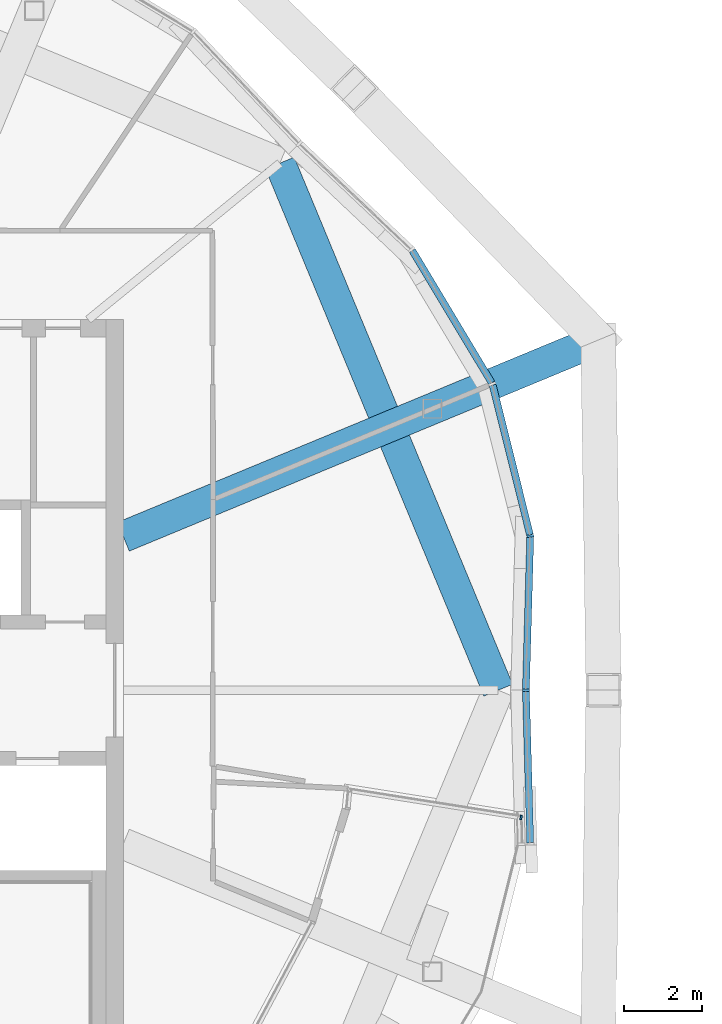
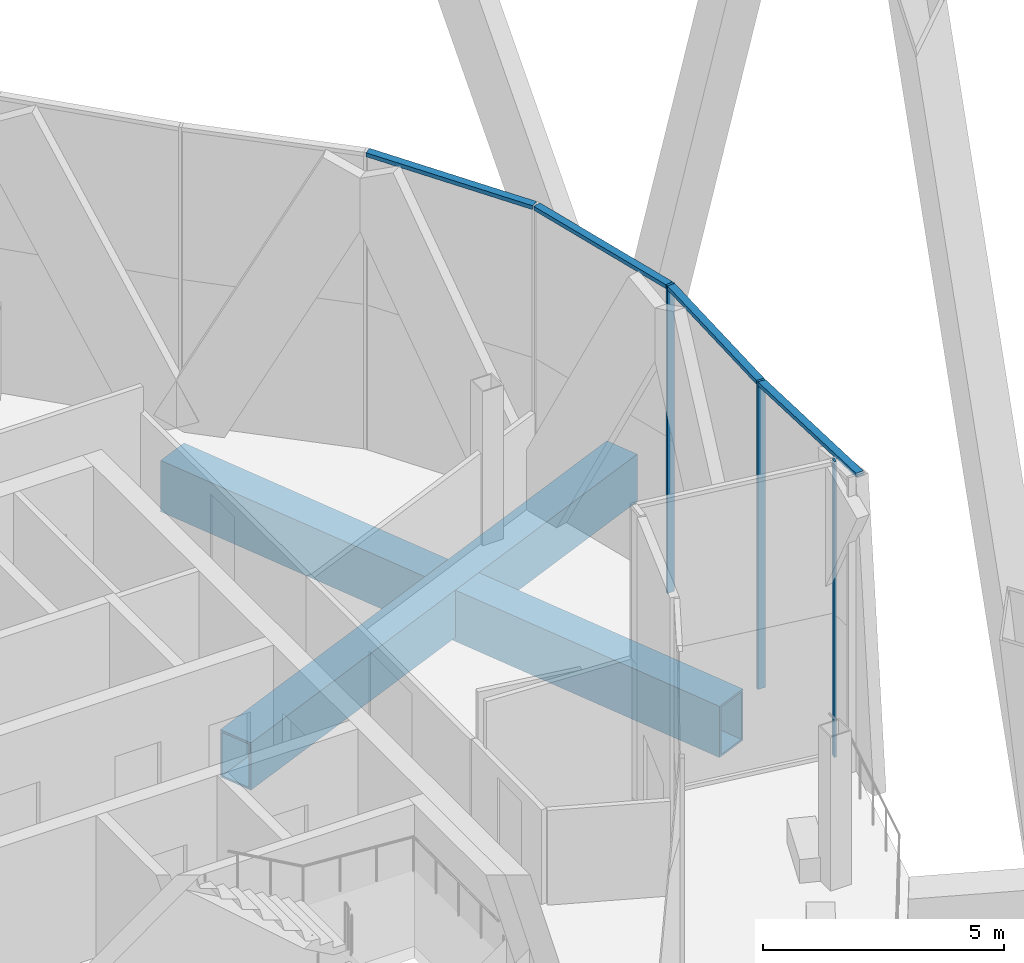
# One storey, part 15 of 53: 7 members, 2 beams, 3 elements without a shape of their own.
"""IFC4 building model written with IfcOpenShell, lengths in metres."""

import ifcopenshell
import ifcopenshell.guid

model = None  # the IFC model being written
_history = None  # IfcOwnerHistory: only IFC2X3 demands one
_inside = {}  # id of a spatial element -> (the spatial element, [elements in it])
_under = {}  # id of a project, library or spatial element -> (it, [spatial elements below it])
_declared = {}  # id of a project -> (the project, [libraries it declares])
_typed = {}  # id of a type object -> (the type object, [elements of that type])
_made_of = {}  # id of a material, layer set ... -> (it, [elements and type objects made of it])


def new_model(schema):
    """Start an empty IFC model of exactly this schema.

    Asked for "IFC4X3", IfcOpenShell would pick the latest addendum, in which some entities
    have other attributes; the version numbers below select the first issue.
    IFC2X3 requires an IfcOwnerHistory on every rooted entity: one is made here for all.
    """
    global model, _history
    if schema == "IFC4X3":
        model = ifcopenshell.file(schema_version=(4, 3, 0, 0))
    else:
        model = ifcopenshell.file(schema=schema)
    _inside.clear()
    _under.clear()
    _declared.clear()
    _typed.clear()
    _made_of.clear()
    _history = None
    if model.schema == "IFC2X3":
        org = make("IfcOrganization", Name="unknown")
        user = make(
            "IfcPersonAndOrganization",
            ThePerson=make("IfcPerson", FamilyName="unknown"),
            TheOrganization=org,
        )
        app = make(
            "IfcApplication",
            ApplicationDeveloper=org,
            Version="unknown",
            ApplicationFullName="unknown",
            ApplicationIdentifier="unknown",
        )
        _history = make(
            "IfcOwnerHistory",
            OwningUser=user,
            OwningApplication=app,
            ChangeAction="ADDED",
            CreationDate=0,
        )
    return model


def make(cls, **values):
    """One entity of the class cls with the attributes given. An attribute that is None is left unset."""
    return model.create_entity(
        cls, **{name: value for name, value in values.items() if value is not None}
    )


def rooted(cls, **values):
    """An entity with a GlobalId (a new one), such as an element, a storey or a relation."""
    return make(cls, GlobalId=ifcopenshell.guid.new(), OwnerHistory=_history, **values)


def si_unit(unit_type, name, prefix=None):
    """IfcSIUnit, for example si_unit("LENGTHUNIT", "METRE", prefix="MILLI")."""
    return make("IfcSIUnit", UnitType=unit_type, Prefix=prefix, Name=name)


def assignment(units):
    """IfcUnitAssignment: the units of a project."""
    return None if units is None else make("IfcUnitAssignment", Units=units)


def point(xyz):
    """IfcCartesianPoint."""
    return None if xyz is None else make("IfcCartesianPoint", Coordinates=xyz)


def direction(xyz):
    """IfcDirection."""
    return None if xyz is None else make("IfcDirection", DirectionRatios=xyz)


def frame(location, z_axis=None, x_axis=None):
    """IfcAxis2Placement3D, a coordinate frame: its origin and axes. An axis left out is left unset."""
    return make(
        "IfcAxis2Placement3D",
        Location=point(location),
        Axis=direction(z_axis),
        RefDirection=direction(x_axis),
    )


def frame_2d(location, x_axis=None):
    """IfcAxis2Placement2D, a coordinate frame in the plane: its origin and x axis."""
    return make(
        "IfcAxis2Placement2D", Location=point(location), RefDirection=direction(x_axis)
    )


def origin():
    """The frame at (0, 0, 0) with its axes left unset."""
    return frame((0.0, 0.0, 0.0))


def origin_2d():
    """The frame at (0, 0) in the plane with its x axis left unset."""
    return frame_2d((0.0, 0.0))


def place(relative_to, where):
    """IfcLocalPlacement: puts the frame where relative to a parent placement (None: the world)."""
    return make(
        "IfcLocalPlacement", PlacementRelTo=relative_to, RelativePlacement=where
    )


def context(
    kind, dimensions, precision=None, world=None, true_north=None, identifier=None
):
    """IfcGeometricRepresentationContext, for example the 3D "Model" context."""
    return make(
        "IfcGeometricRepresentationContext",
        ContextIdentifier=identifier,
        ContextType=kind,
        CoordinateSpaceDimension=dimensions,
        Precision=precision,
        WorldCoordinateSystem=world,
        TrueNorth=true_north,
    )


def subcontext(parent, identifier, kind, view, scale=None):
    """IfcGeometricRepresentationSubContext, for example "Body" below "Model"."""
    return make(
        "IfcGeometricRepresentationSubContext",
        ContextIdentifier=identifier,
        ContextType=kind,
        ParentContext=parent,
        TargetScale=scale,
        TargetView=view,
    )


def project(units=None, contexts=None):
    """IfcProject with its units and contexts."""
    return rooted(
        "IfcProject",
        Name="project",
        RepresentationContexts=contexts,
        UnitsInContext=assignment(units),
    )


def spatial(cls, under=None, at=None, **own):
    """A site, building, storey or space (cls), placed at a placement, below another one or the project."""
    s = rooted(cls, ObjectPlacement=at, **own)
    if under is not None:
        _under.setdefault(under.id(), (under, []))[1].append(s)
    return s


def profile(cls, at=None, kind="AREA", **sizes):
    """A parametric profile (cls). Its sizes go by their IFC names, for example OverallWidth=200.0."""
    return make(cls, ProfileType=kind, Position=at, **sizes)


def rectangle(**sizes):
    """IfcRectangleProfileDef."""
    return profile("IfcRectangleProfileDef", **sizes)


def hollow_rectangle(**sizes):
    """IfcRectangleHollowProfileDef."""
    return profile("IfcRectangleHollowProfileDef", **sizes)


def extrude(swept, where, along, depth):
    """IfcExtrudedAreaSolid: the profile swept, set in the frame where, extruded along a direction by depth."""
    return make(
        "IfcExtrudedAreaSolid",
        SweptArea=swept,
        Position=where,
        ExtrudedDirection=direction(along),
        Depth=depth,
    )


def shape(context_of_items, identifier, shape_type, items):
    """IfcShapeRepresentation: the items that make up one representation, for example the "Body"."""
    return make(
        "IfcShapeRepresentation",
        ContextOfItems=context_of_items,
        RepresentationIdentifier=identifier,
        RepresentationType=shape_type,
        Items=items,
    )


def material(Name=None, Category=None):
    """IfcMaterial."""
    return make("IfcMaterial", Name=Name, Category=Category)


def material_profile(
    of_material, cross_section, Name=None, Category=None, Priority=None
):
    """IfcMaterialProfile: a cross section and its material."""
    return make(
        "IfcMaterialProfile",
        Name=Name,
        Material=of_material,
        Profile=cross_section,
        Priority=Priority,
        Category=Category,
    )


def profile_set(profiles, Name=None, composite=None):
    """IfcMaterialProfileSet."""
    return make(
        "IfcMaterialProfileSet",
        Name=Name,
        MaterialProfiles=profiles,
        CompositeProfile=composite,
    )


def made_of(thing, what):
    """Note that an element or type object is made of a material, layer set ...; save() writes the relation."""
    if what is not None:
        _made_of.setdefault(what.id(), (what, []))[1].append(thing)
    return thing


def type_object(cls, material=None, **own):
    """A type object (cls), such as IfcWallType, which elements share."""
    return made_of(rooted(cls, **own), material)


def element(
    cls,
    number,
    at=None,
    inside=None,
    cuts=None,
    type_object=None,
    material=None,
    context=None,
    identifier="Body",
    shape_type=None,
    held_by="IfcProductDefinitionShape",
    body=None,
    shapes=None,
    **own,
):
    """One element of the class cls, such as IfcWall. Its Tag is "e" and its number.

    at: its placement. inside: the storey or other place that contains it. cuts: it is an
    opening in that element (IfcRelVoidsElement). A single representation is given by context,
    identifier, shape_type and body (its items); several are given by shapes. held_by: the class
    of the entity that holds the representations. save() writes the other relations.
    """
    e = rooted(cls, Tag="e%d" % number, ObjectPlacement=at, **own)
    if body is not None:
        shapes = [shape(context, identifier, shape_type, body)]
    if shapes is not None:
        e.Representation = make(held_by, Representations=shapes)
    if inside is not None:
        _inside.setdefault(inside.id(), (inside, []))[1].append(e)
    if cuts is not None:
        rooted(
            "IfcRelVoidsElement", RelatingBuildingElement=cuts, RelatedOpeningElement=e
        )
    if type_object is not None:
        _typed.setdefault(type_object.id(), (type_object, []))[1].append(e)
    return made_of(e, material)


def aggregate(whole, parts):
    """IfcRelAggregates: a whole, such as a stair, and the parts it consists of."""
    return rooted("IfcRelAggregates", RelatingObject=whole, RelatedObjects=parts)


def save(model, path):
    """Write the relations noted so far, then the file.

    IfcRelAggregates (storeys below a building ...), IfcRelContainedInSpatialStructure (elements
    in a storey), IfcRelDefinesByType, IfcRelAssociatesMaterial and IfcRelDeclares: one each for
    every whole, place, type object, material and project.
    """
    for whole, parts in _under.values():
        aggregate(whole, parts)
    for where, things in _inside.values():
        rooted(
            "IfcRelContainedInSpatialStructure",
            RelatedElements=things,
            RelatingStructure=where,
        )
    for kind, things in _typed.values():
        rooted("IfcRelDefinesByType", RelatedObjects=things, RelatingType=kind)
    for what, things in _made_of.values():
        rooted("IfcRelAssociatesMaterial", RelatedObjects=things, RelatingMaterial=what)
    for by, libraries in _declared.values():
        rooted("IfcRelDeclares", RelatingContext=by, RelatedDefinitions=libraries)
    model.write(path)


model = new_model("IFC4")

# Units and contexts
model_context = context("Model", 3, precision=1e-05, world=origin(), true_north=direction((0.0, 1.0)))
body_context = subcontext(model_context, "Body", "Model", "MODEL_VIEW")
ifc_project = project(units=[si_unit("LENGTHUNIT", "METRE"), si_unit("AREAUNIT", "SQUARE_METRE"), si_unit("VOLUMEUNIT", "CUBIC_METRE"), si_unit("PLANEANGLEUNIT", "RADIAN"), si_unit("MASSUNIT", "GRAM", prefix="KILO")], contexts=[model_context])

# Site, building, storey
site_placement = place(None, origin())
site = spatial("IfcSite", under=ifc_project, at=site_placement, CompositionType="ELEMENT")
building_placement = place(site_placement, origin())
building = spatial("IfcBuilding", under=site, at=building_placement, Name="Ogive Gate Towers", CompositionType="ELEMENT")
storey_placement = place(building_placement, frame((0.0, 0.0, 240.60009765625)))
storey = spatial("IfcBuildingStorey", under=building, at=storey_placement, Name="L57", CompositionType="ELEMENT", Elevation=240.60009765625)

# Beam
ifc_material_1 = material(Name="Steel SM460", Category="steel")
ifc_material_profile_1 = material_profile(ifc_material_1, hollow_rectangle(XDim=0.800048828125, YDim=1.300048828125, WallThickness=0.050048828125, at=origin_2d()), Name="BX 1300x800x50")
ifc_profile_set_1 = profile_set([ifc_material_profile_1], Name="Steel SM460")
beam_type_1 = type_object("IfcBeamType", Name="Edge girder BX 1300x800x50", PredefinedType="BEAM", material=ifc_profile_set_1)
beam_1_placement = place(storey_placement, frame((-16.889892578125, 0.0, -0.9501953125), z_axis=(-0.38269921506, 0.923872994947, 0.0), x_axis=(-0.923872994947, -0.38269921506, 0.0)))
element("IfcBeam", 1, at=beam_1_placement, inside=storey, type_object=beam_type_1, Name="T1/L57/SBM020", PredefinedType="BEAM", context=body_context, shape_type="SweptSolid", body=[
    extrude(hollow_rectangle(XDim=0.800048828125, YDim=1.300048828125, WallThickness=0.050048828125, at=origin_2d()), origin(), (0.0, 0.0, 1.0), 14.626220703125),
])

# Curtain wall, member
ifc_material_2 = material(Name="Pale metal aluminium", Category="aluminium")
curtain_wall_type_1 = type_object("IfcCurtainWallType", Name="Sky garden glazing", PredefinedType="NOTDEFINED", material=ifc_material_2)
curtain_wall_1_placement = place(storey_placement, origin())
curtain_wall_1 = element("IfcCurtainWall", 2, at=curtain_wall_1_placement, inside=storey, type_object=curtain_wall_type_1, Name="CW4 T1 ECW02", PredefinedType="NOTDEFINED")
ifc_material_profile_2 = material_profile(ifc_material_2, rectangle(XDim=0.1201171875, YDim=0.050048828125, at=origin_2d()), Name="50 x 120 aluminium box")
ifc_profile_set_2 = profile_set([ifc_material_profile_2], Name="Pale metal aluminium")
member_type_1 = type_object("IfcMemberType", Name="Sky garden glazing mullion 50 x 120", PredefinedType="MULLION", material=ifc_profile_set_2)
member_1_placement = place(storey_placement, frame((-16.30517578125, -3.260986328125, 0.0), z_axis=(0.0, 0.0, 1.0), x_axis=(0.15643446504, 0.987688340595, 0.0)))
member_1 = element("IfcMember", 3, at=member_1_placement, type_object=member_type_1, Name="CW4 mullion", PredefinedType="MULLION", context=body_context, shape_type="SweptSolid", body=[
    extrude(rectangle(XDim=0.1201171875, YDim=0.050048828125, at=origin_2d()), origin(), (0.0, 0.0, 1.0), 7.5),
])
aggregate(curtain_wall_1, [member_1])

# Curtain wall, members
curtain_wall_type_2 = type_object("IfcCurtainWallType", Name="Tower unitised wall, high zone", PredefinedType="NOTDEFINED", material=ifc_material_2)
curtain_wall_2_placement = place(storey_placement, origin())
curtain_wall_2 = element("IfcCurtainWall", 4, at=curtain_wall_2_placement, inside=storey, type_object=curtain_wall_type_2, Name="CW2 T1 ECW03", PredefinedType="NOTDEFINED")
ifc_material_profile_3 = material_profile(ifc_material_2, rectangle(XDim=0.179931640625, YDim=0.06005859375, at=origin_2d()), Name="60 x 180 aluminium box")
ifc_profile_set_3 = profile_set([ifc_material_profile_3], Name="Pale metal aluminium")
member_type_2 = type_object("IfcMemberType", Name="Tower unitised wall, high zone mullion 60 x 180", PredefinedType="MULLION", material=ifc_profile_set_3)
member_2_placement = place(storey_placement, frame((-16.068115234375, 3.954833984375, -0.300048828125), z_axis=(0.0, 0.0, 1.0), x_axis=(-0.994160384909, -0.107912599257, 0.0)))
member_2 = element("IfcMember", 5, at=member_2_placement, type_object=member_type_2, Name="CW2 mullion", PredefinedType="MULLION", context=body_context, shape_type="SweptSolid", body=[
    extrude(rectangle(XDim=0.179931640625, YDim=0.06005859375, at=origin_2d()), origin(), (0.0, 0.0, 1.0), 7.800048828125),
])
member_3_placement = place(storey_placement, frame((-16.179931640625, -0.000244140625, -0.300048828125), z_axis=(0.0, 0.0, 1.0), x_axis=(-0.999598826037, 0.028322905681, 0.0)))
member_3 = element("IfcMember", 6, at=member_3_placement, type_object=member_type_2, Name="CW2 mullion", PredefinedType="MULLION", context=body_context, shape_type="SweptSolid", body=[
    extrude(rectangle(XDim=0.179931640625, YDim=0.06005859375, at=origin_2d()), origin(), (0.0, 0.0, 1.0), 7.800048828125),
])
ifc_material_profile_4 = material_profile(ifc_material_2, rectangle(XDim=0.179931640625, YDim=0.10009765625, at=origin_2d()), Name="100 x 180 aluminium box")
ifc_profile_set_4 = profile_set([ifc_material_profile_4], Name="Pale metal aluminium")
member_type_3 = type_object("IfcMemberType", Name="Tower unitised wall, high zone transom 100 x 180", PredefinedType="USERDEFINED", material=ifc_profile_set_4)
member_4_placement = place(storey_placement, frame((-19.09326171875, 11.270751953125, 7.449951171875), z_axis=(0.51482252034, -0.857296782072, 0.0), x_axis=(0.857296782072, 0.51482252034, 0.0)))
member_4 = element("IfcMember", 7, at=member_4_placement, type_object=member_type_3, Name="CW2 transom", ObjectType="TRANSOM", PredefinedType="USERDEFINED", context=body_context, shape_type="SweptSolid", body=[
    extrude(rectangle(XDim=0.179931640625, YDim=0.10009765625, at=origin_2d()), origin(), (0.0, 0.0, 1.0), 3.955078125),
])
member_5_placement = place(storey_placement, frame((-17.033203125, 7.822509765625, 7.449951171875), z_axis=(0.24209986874, -0.970251335251, 0.0), x_axis=(0.970251335251, 0.24209986874, 0.0)))
member_5 = element("IfcMember", 8, at=member_5_placement, type_object=member_type_3, Name="CW2 transom", ObjectType="TRANSOM", PredefinedType="USERDEFINED", context=body_context, shape_type="SweptSolid", body=[
    extrude(rectangle(XDim=0.179931640625, YDim=0.10009765625, at=origin_2d()), origin(), (0.0, 0.0, 1.0), 3.955078125),
])
member_6_placement = place(storey_placement, frame((-16.06884765625, 3.92333984375, 7.449951171875), z_axis=(-0.028330735458, -0.999598604155, 0.0), x_axis=(0.999598604155, -0.028330735458, 0.0)))
member_6 = element("IfcMember", 9, at=member_6_placement, type_object=member_type_3, Name="CW2 transom", ObjectType="TRANSOM", PredefinedType="USERDEFINED", context=body_context, shape_type="SweptSolid", body=[
    extrude(rectangle(XDim=0.179931640625, YDim=0.10009765625, at=origin_2d()), origin(), (0.0, 0.0, 1.0), 3.89501953125),
])
aggregate(curtain_wall_2, [member_4, member_2, member_5, member_3, member_6])

# Curtain wall, member
curtain_wall_3_placement = place(storey_placement, origin())
curtain_wall_3 = element("IfcCurtainWall", 10, at=curtain_wall_3_placement, inside=storey, type_object=curtain_wall_type_2, Name="CW2 T1 ECW10", PredefinedType="NOTDEFINED")
member_7_placement = place(storey_placement, frame((-16.17919921875, -0.02978515625, 7.449951171875), z_axis=(0.028304788739, -0.999599339203, 0.0), x_axis=(0.999599339203, 0.028304788739, 0.0)))
member_7 = element("IfcMember", 11, at=member_7_placement, type_object=member_type_3, Name="CW2 transom", ObjectType="TRANSOM", PredefinedType="USERDEFINED", context=body_context, shape_type="SweptSolid", body=[
    extrude(rectangle(XDim=0.179931640625, YDim=0.10009765625, at=origin_2d()), origin(), (0.0, 0.0, 1.0), 3.88134765625),
])
aggregate(curtain_wall_3, [member_7])

# Beam
ifc_material_profile_5 = material_profile(ifc_material_1, hollow_rectangle(XDim=0.800048828125, YDim=1.199951171875, WallThickness=0.050048828125, at=origin_2d()), Name="BX 1200x800x50")
ifc_profile_set_5 = profile_set([ifc_material_profile_5], Name="Steel SM460")
beam_type_2 = type_object("IfcBeamType", Name="Transfer radial beam BX 1200x800x50", PredefinedType="BEAM", material=ifc_profile_set_5)
beam_2_placement = place(storey_placement, frame((-26.5, 3.93505859375, -0.900146484375), z_axis=(0.923880669006, 0.382680688612, 0.0), x_axis=(-0.382680688612, 0.923880669006, 0.0)))
element("IfcBeam", 12, at=beam_2_placement, inside=storey, type_object=beam_type_2, Name="T1/L57/SBM008", PredefinedType="BEAM", context=body_context, shape_type="SweptSolid", body=[
    extrude(hollow_rectangle(XDim=0.800048828125, YDim=1.199951171875, WallThickness=0.050048828125, at=origin_2d()), origin(), (0.0, 0.0, 1.0), 13.177490234375),
])

save(model, "model.ifc")
